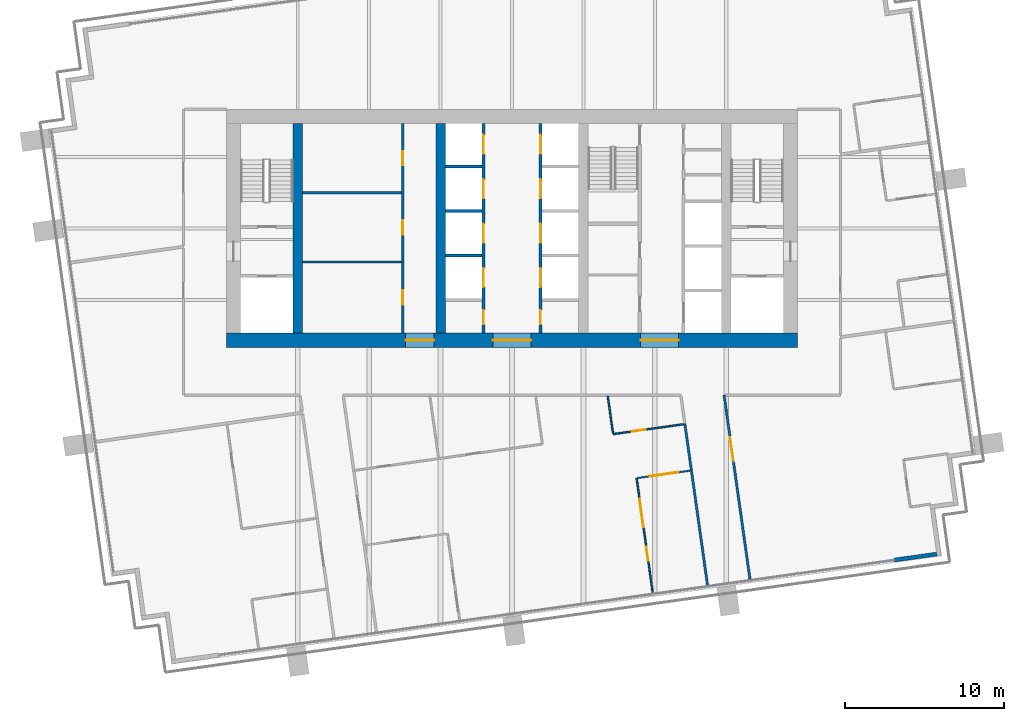
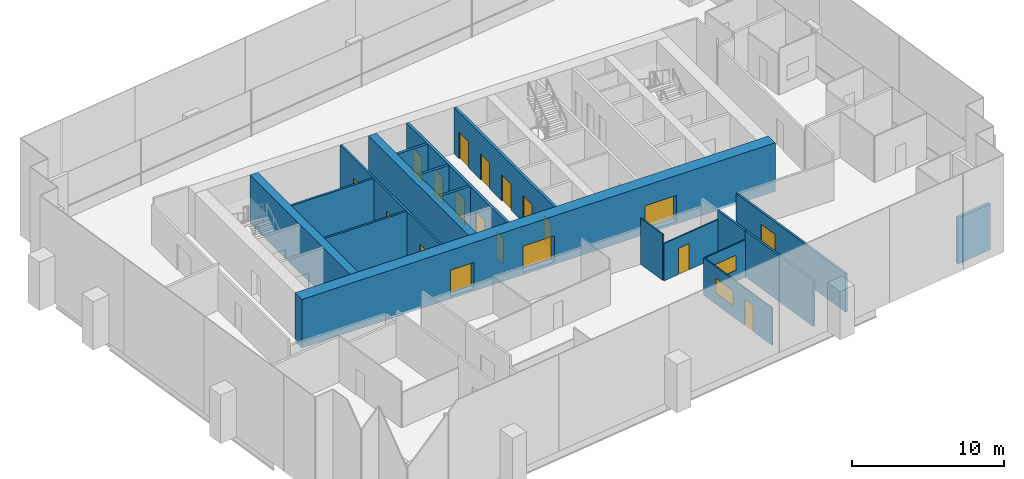
# One storey, part 10 of 17: 19 doors, 19 walls, 2 windows, 21 openings.
"""IFC4 building model written with IfcOpenShell, lengths in metres."""

from ifc_helpers import new_model, si_unit, direction, frame, frame_2d, origin, place, context, subcontext, project, spatial, rectangle, extrude, material, layer, layer_set, type_object, element, fill, save


model = new_model("IFC4")

# Units and contexts
model_context = context("Model", 3, precision=1e-05, world=origin(), true_north=direction((0.0, 1.0)))
body_context = subcontext(model_context, "Body", "Model", "MODEL_VIEW")
ifc_project = project(units=[si_unit("LENGTHUNIT", "METRE"), si_unit("AREAUNIT", "SQUARE_METRE"), si_unit("VOLUMEUNIT", "CUBIC_METRE"), si_unit("PLANEANGLEUNIT", "RADIAN"), si_unit("MASSUNIT", "GRAM", prefix="KILO")], contexts=[model_context])

# Site, building, storey
site_placement = place(None, origin())
site = spatial("IfcSite", under=ifc_project, at=site_placement, CompositionType="ELEMENT")
building_placement = place(site_placement, origin())
building = spatial("IfcBuilding", under=site, at=building_placement, Name="Rattan Terrace Tower", CompositionType="ELEMENT")
storey_placement = place(building_placement, frame((0.0, 0.0, 180.199951171875)))
storey = spatial("IfcBuildingStorey", under=building, at=storey_placement, Name="L41", CompositionType="ELEMENT", Elevation=180.199951171875)

# Wall, openings, doors
ifc_material_1 = material(Name="Gypsum board partition")
ifc_layer_1 = layer(ifc_material_1, 0.14990234375)
ifc_layer_set_1 = layer_set([ifc_layer_1], Name="Core partition 150")
wall_type_1 = type_object("IfcWallType", Name="Core partition 150", PredefinedType="PARTITIONING", material=ifc_layer_set_1)
wall_1_placement = place(storey_placement, frame((-6.875, -6.60009765625, 0.0), z_axis=(0.0, 0.0, 1.0), x_axis=(0.0, 1.0, 0.0)))
wall_1 = element("IfcWall", 1, at=wall_1_placement, inside=storey, type_object=wall_type_1, Name="Core room wall", PredefinedType="PARTITIONING", context=body_context, shape_type="SweptSolid", body=[
    extrude(rectangle(XDim=13.2001953125, YDim=0.14990234375, at=frame_2d((6.60009765625, 0.0))), origin(), (0.0, 0.0, 1.0), 3.699951171875),
])
opening_1_placement = place(wall_1_placement, frame((1.7939453125, 0.0, 0.0)))
opening_1 = element("IfcOpeningElement", 2, at=opening_1_placement, cuts=wall_1, Name="Opening L41-D005", PredefinedType="OPENING", context=body_context, shape_type="SweptSolid", body=[
    extrude(rectangle(XDim=0.89990234375, YDim=2.10009765625, at=frame_2d((0.449951171875, 1.050048828125))), frame((0.0, 0.08544921875, 0.0), z_axis=(0.0, -1.0, 0.0), x_axis=(1.0, 0.0, 0.0)), (0.0, 0.0, 1.0), 0.1708984375),
])
opening_2_placement = place(wall_1_placement, frame((6.216064453125, 0.0, 0.0)))
opening_2 = element("IfcOpeningElement", 3, at=opening_2_placement, cuts=wall_1, Name="Opening L41-D006", PredefinedType="OPENING", context=body_context, shape_type="SweptSolid", body=[
    extrude(rectangle(XDim=0.89990234375, YDim=2.10009765625, at=frame_2d((0.449951171875, 1.050048828125))), frame((0.0, 0.08544921875, 0.0), z_axis=(0.0, -1.0, 0.0), x_axis=(1.0, 0.0, 0.0)), (0.0, 0.0, 1.0), 0.1708984375),
])
opening_3_placement = place(wall_1_placement, frame((10.572021484375, 0.0, 0.0)))
opening_3 = element("IfcOpeningElement", 4, at=opening_3_placement, cuts=wall_1, Name="Opening L41-D007", PredefinedType="OPENING", context=body_context, shape_type="SweptSolid", body=[
    extrude(rectangle(XDim=0.89990234375, YDim=2.10009765625, at=frame_2d((0.449951171875, 1.050048828125))), frame((0.0, 0.08544921875, 0.0), z_axis=(0.0, -1.0, 0.0), x_axis=(1.0, 0.0, 0.0)), (0.0, 0.0, 1.0), 0.1708984375),
])
ifc_material_2 = material(Name="Hollow-metal fire door leaf")
door_type_1 = type_object("IfcDoorType", Name="Core service room door 900", OperationType="NOTDEFINED", PredefinedType="DOOR", material=ifc_material_2)
door_1_placement = place(opening_1_placement, origin())
door_1 = element("IfcDoor", 5, at=door_1_placement, inside=storey, type_object=door_type_1, Name="Door L41-D005", OperationType="SINGLE_SWING_LEFT", OverallHeight=2.10009765625, OverallWidth=0.89990234375, PredefinedType="DOOR", context=body_context, shape_type="SweptSolid", body=[
    extrude(rectangle(XDim=0.89990234375, YDim=2.10009765625, at=frame_2d((0.449951171875, 1.050048828125))), frame((0.0, 0.02490234375, 0.0), z_axis=(0.0, -1.0, 0.0), x_axis=(1.0, 0.0, 0.0)), (0.0, 0.0, 1.0), 0.050048828125),
])
fill(opening_1, door_1)
door_2_placement = place(opening_2_placement, origin())
door_2 = element("IfcDoor", 6, at=door_2_placement, inside=storey, type_object=door_type_1, Name="Door L41-D006", OperationType="SINGLE_SWING_RIGHT", OverallHeight=2.10009765625, OverallWidth=0.89990234375, PredefinedType="DOOR", context=body_context, shape_type="SweptSolid", body=[
    extrude(rectangle(XDim=0.89990234375, YDim=2.10009765625, at=frame_2d((0.449951171875, 1.050048828125))), frame((0.0, 0.02490234375, 0.0), z_axis=(0.0, -1.0, 0.0), x_axis=(1.0, 0.0, 0.0)), (0.0, 0.0, 1.0), 0.050048828125),
])
fill(opening_2, door_2)
door_3_placement = place(opening_3_placement, origin())
door_3 = element("IfcDoor", 7, at=door_3_placement, inside=storey, type_object=door_type_1, Name="Door L41-D007", OperationType="SINGLE_SWING_LEFT", OverallHeight=2.10009765625, OverallWidth=0.89990234375, PredefinedType="DOOR", context=body_context, shape_type="SweptSolid", body=[
    extrude(rectangle(XDim=0.89990234375, YDim=2.10009765625, at=frame_2d((0.449951171875, 1.050048828125))), frame((0.0, 0.02490234375, 0.0), z_axis=(0.0, -1.0, 0.0), x_axis=(1.0, 0.0, 0.0)), (0.0, 0.0, 1.0), 0.050048828125),
])
fill(opening_3, door_3)

# Walls
for number, where, z_axis, x_axis, name in (
    (8, (-13.199951171875, -2.112060546875, 0.0), (0.0, 0.0, 1.0), (1.0, 0.0, 0.0), "Core room wall"),
    (9, (-13.199951171875, 2.243896484375, 0.0), (0.0, 0.0, 1.0), (1.0, 0.0, 0.0), "Core room wall"),
):
    element("IfcWall", number, at=place(storey_placement, frame(where, z_axis=z_axis, x_axis=x_axis)), inside=storey, type_object=wall_type_1, Name=name, PredefinedType="PARTITIONING", context=body_context, shape_type="SweptSolid", body=[
        extrude(rectangle(XDim=6.25, YDim=0.14990234375, at=frame_2d((3.125, 0.0))), origin(), (0.0, 0.0, 1.0), 3.699951171875),
    ])

# Wall, openings, doors
ifc_material_3 = material(Name="Concrete C60/75", Category="concrete")
ifc_layer_2 = layer(ifc_material_3, 0.89990234375)
ifc_layer_set_2 = layer_set([ifc_layer_2], Name="Core ring wall 900 C60/75")
wall_type_2 = type_object("IfcWallType", Name="Core ring wall 900 C60/75", PredefinedType="SHEAR", material=ifc_layer_set_2)
wall_2_placement = place(storey_placement, frame((-18.0, -7.050048828125, -0.199951171875), z_axis=(0.0, 0.0, 1.0), x_axis=(1.0, 0.0, 0.0)))
wall_2 = element("IfcWall", 10, at=wall_2_placement, inside=storey, type_object=wall_type_2, Name="Rear core wall south", PredefinedType="SHEAR", context=body_context, shape_type="SweptSolid", body=[
    extrude(rectangle(XDim=36.0, YDim=0.89990234375, at=frame_2d((18.0, 0.0))), origin(), (0.0, 0.0, 1.0), 3.89990234375),
])
opening_4_placement = place(wall_2_placement, frame((11.300048828125, 0.0, 0.199951171875)))
opening_4 = element("IfcOpeningElement", 11, at=opening_4_placement, cuts=wall_2, Name="Opening L41-D008", PredefinedType="OPENING", context=body_context, shape_type="SweptSolid", body=[
    extrude(rectangle(XDim=1.800048828125, YDim=2.10009765625, at=frame_2d((0.89990234375, 1.050048828125))), frame((0.0, 0.46044921875, 0.0), z_axis=(0.0, -1.0, 0.0), x_axis=(1.0, 0.0, 0.0)), (0.0, 0.0, 1.0), 0.9208984375),
])
opening_5_placement = place(wall_2_placement, frame((16.800048828125, 0.0, 0.199951171875)))
opening_5 = element("IfcOpeningElement", 12, at=opening_5_placement, cuts=wall_2, Name="Opening L41-D011", PredefinedType="OPENING", context=body_context, shape_type="SweptSolid", body=[
    extrude(rectangle(XDim=2.39990234375, YDim=2.10009765625, at=frame_2d((1.199951171875, 1.050048828125))), frame((0.0, 0.46044921875, 0.0), z_axis=(0.0, -1.0, 0.0), x_axis=(1.0, 0.0, 0.0)), (0.0, 0.0, 1.0), 0.9208984375),
])
opening_6_placement = place(wall_2_placement, frame((26.10009765625, 0.0, 0.199951171875)))
opening_6 = element("IfcOpeningElement", 13, at=opening_6_placement, cuts=wall_2, Name="Opening L41-D015", PredefinedType="OPENING", context=body_context, shape_type="SweptSolid", body=[
    extrude(rectangle(XDim=2.39990234375, YDim=2.10009765625, at=frame_2d((1.199951171875, 1.050048828125))), frame((0.0, 0.46044921875, 0.0), z_axis=(0.0, -1.0, 0.0), x_axis=(1.0, 0.0, 0.0)), (0.0, 0.0, 1.0), 0.9208984375),
])
ifc_material_4 = material(Name="Hollow-metal fire door leaf")
door_type_2 = type_object("IfcDoorType", Name="Core lift lobby door 2400", OperationType="NOTDEFINED", PredefinedType="DOOR", material=ifc_material_4)
door_4_placement = place(opening_5_placement, origin())
door_4 = element("IfcDoor", 14, at=door_4_placement, inside=storey, type_object=door_type_2, Name="Door L41-D011", OperationType="DOUBLE_DOOR_DOUBLE_SWING", OverallHeight=2.10009765625, OverallWidth=2.39990234375, PredefinedType="DOOR", context=body_context, shape_type="SweptSolid", body=[
    extrude(rectangle(XDim=2.39990234375, YDim=2.10009765625, at=frame_2d((1.199951171875, 1.050048828125))), frame((0.0, 0.02490234375, 0.0), z_axis=(0.0, -1.0, 0.0), x_axis=(1.0, 0.0, 0.0)), (0.0, 0.0, 1.0), 0.050048828125),
])
fill(opening_5, door_4)
door_5_placement = place(opening_6_placement, origin())
door_5 = element("IfcDoor", 15, at=door_5_placement, inside=storey, type_object=door_type_2, Name="Door L41-D015", OperationType="DOUBLE_DOOR_DOUBLE_SWING", OverallHeight=2.10009765625, OverallWidth=2.39990234375, PredefinedType="DOOR", context=body_context, shape_type="SweptSolid", body=[
    extrude(rectangle(XDim=2.39990234375, YDim=2.10009765625, at=frame_2d((1.199951171875, 1.050048828125))), frame((0.0, 0.02490234375, 0.0), z_axis=(0.0, -1.0, 0.0), x_axis=(1.0, 0.0, 0.0)), (0.0, 0.0, 1.0), 0.050048828125),
])
fill(opening_6, door_5)
ifc_material_5 = material(Name="Hollow-metal fire door leaf")
door_type_3 = type_object("IfcDoorType", Name="Core service room door 1800", OperationType="NOTDEFINED", PredefinedType="DOOR", material=ifc_material_5)
door_6_placement = place(opening_4_placement, origin())
door_6 = element("IfcDoor", 16, at=door_6_placement, inside=storey, type_object=door_type_3, Name="Door L41-D008", OperationType="SINGLE_SWING_RIGHT", OverallHeight=2.10009765625, OverallWidth=1.800048828125, PredefinedType="DOOR", context=body_context, shape_type="SweptSolid", body=[
    extrude(rectangle(XDim=1.800048828125, YDim=2.10009765625, at=frame_2d((0.89990234375, 1.050048828125))), frame((0.0, 0.02490234375, 0.0), z_axis=(0.0, -1.0, 0.0), x_axis=(1.0, 0.0, 0.0)), (0.0, 0.0, 1.0), 0.050048828125),
])
fill(opening_4, door_6)

# Walls
ifc_material_6 = material(Name="Concrete C60/75", Category="concrete")
ifc_layer_3 = layer(ifc_material_6, 0.60009765625)
ifc_layer_set_3 = layer_set([ifc_layer_3], Name="Core spine wall 600 C60/75")
wall_type_3 = type_object("IfcWallType", Name="Core spine wall 600 C60/75", PredefinedType="SHEAR", material=ifc_layer_set_3)
for number, where, z_axis, x_axis, name in (
    (17, (-13.5, -6.60009765625, -0.199951171875), (0.0, 0.0, 1.0), (0.0, 1.0, 0.0), "Core spine wall 1"),
    (18, (-4.5, -6.60009765625, -0.199951171875), (0.0, 0.0, 1.0), (0.0, 1.0, 0.0), "Core spine wall 2"),
):
    element("IfcWall", number, at=place(storey_placement, frame(where, z_axis=z_axis, x_axis=x_axis)), inside=storey, type_object=wall_type_3, Name=name, PredefinedType="SHEAR", context=body_context, shape_type="SweptSolid", body=[
        extrude(rectangle(XDim=13.2001953125, YDim=0.60009765625, at=frame_2d((6.60009765625, 0.0))), origin(), (0.0, 0.0, 1.0), 3.89990234375),
    ])
ifc_material_7 = material(Name="Insulated aluminium-clad stud wall", Category="aluminium")
ifc_layer_4 = layer(ifc_material_7, 0.25)
ifc_layer_set_4 = layer_set([ifc_layer_4], Name="Facade Riser Wall 250")
wall_type_4 = type_object("IfcWallType", Name="Facade Riser Wall 250", PredefinedType="SOLIDWALL", material=ifc_layer_set_4)
wall_3_placement = place(storey_placement, frame((24.08544921875, -20.892578125, 0.0), z_axis=(0.0, 0.0, 1.0), x_axis=(0.990255800966, 0.139260362823, 0.0)))
element("IfcWall", 19, at=wall_3_placement, inside=storey, type_object=wall_type_4, Name="Riser wall L41-1", PredefinedType="SOLIDWALL", context=body_context, shape_type="SweptSolid", body=[
    extrude(rectangle(XDim=2.705078125, YDim=0.25, at=frame_2d((1.3525390625, 0.0))), origin(), (0.0, 0.0, 1.0), 3.699951171875),
])

# Wall, openings, door, window
ifc_material_8 = material(Name="Gypsum board partition on steel studs", Category="steel")
ifc_layer_5 = layer(ifc_material_8, 0.10009765625)
ifc_layer_set_5 = layer_set([ifc_layer_5], Name="Floors Partition 100")
wall_type_5 = type_object("IfcWallType", Name="Floors Partition 100", PredefinedType="PARTITIONING", material=ifc_layer_set_5)
wall_4_placement = place(storey_placement, frame((7.85205078125, -15.73095703125, 0.0), z_axis=(0.0, 0.0, 1.0), x_axis=(0.139143839005, -0.9902721808, 0.0)))
wall_4 = element("IfcWall", 20, at=wall_4_placement, inside=storey, type_object=wall_type_5, Name="pt-L41-051", PredefinedType="PARTITIONING", context=body_context, shape_type="SweptSolid", body=[
    extrude(rectangle(XDim=7.27978515625, YDim=0.10009765625, at=frame_2d((3.639892578125, 0.0))), origin(), (0.0, 0.0, 1.0), 3.0),
])
opening_7_placement = place(wall_4_placement, frame((4.365966796875, 0.0, 0.0)))
opening_7 = element("IfcOpeningElement", 21, at=opening_7_placement, cuts=wall_4, Name="Opening L41-D114", PredefinedType="OPENING", context=body_context, shape_type="SweptSolid", body=[
    extrude(rectangle(XDim=0.89990234375, YDim=2.10009765625, at=frame_2d((0.449951171875, 1.050048828125))), frame((0.0, 0.060546875, 0.0), z_axis=(0.0, -1.0, 0.0), x_axis=(1.0, 0.0, 0.0)), (0.0, 0.0, 1.0), 0.12109375),
])
opening_8_placement = place(wall_4_placement, frame((1.30810546875, 0.0, 0.89990234375)))
opening_8 = element("IfcOpeningElement", 22, at=opening_8_placement, cuts=wall_4, Name="Opening L41-W103", PredefinedType="OPENING", context=body_context, shape_type="SweptSolid", body=[
    extrude(rectangle(XDim=1.800048828125, YDim=1.199951171875, at=frame_2d((0.89990234375, 0.60009765625))), frame((0.0, 0.060546875, 0.0), z_axis=(0.0, -1.0, 0.0), x_axis=(1.0, 0.0, 0.0)), (0.0, 0.0, 1.0), 0.12109375),
])
ifc_material_9 = material(Name="Solid core timber door, painted", Category="wood")
door_type_4 = type_object("IfcDoorType", Name="Floors Door 900x2100", OperationType="NOTDEFINED", PredefinedType="DOOR", material=ifc_material_9)
door_7_placement = place(opening_7_placement, origin())
door_7 = element("IfcDoor", 23, at=door_7_placement, inside=storey, type_object=door_type_4, Name="d-L41-114", OperationType="SINGLE_SWING_RIGHT", OverallHeight=2.10009765625, OverallWidth=0.89990234375, PredefinedType="DOOR", context=body_context, shape_type="SweptSolid", body=[
    extrude(rectangle(XDim=0.89990234375, YDim=2.10009765625, at=frame_2d((0.449951171875, 1.050048828125))), frame((0.0, 0.02490234375, 0.0), z_axis=(0.0, -1.0, 0.0), x_axis=(1.0, 0.0, 0.0)), (0.0, 0.0, 1.0), 0.050048828125),
])
fill(opening_7, door_7)
ifc_material_10 = material(Name="Glass, clear, fixed in aluminium frame", Category="aluminium")
window_type = type_object("IfcWindowType", Name="Interior Vision Window 1800x1200", PartitioningType="SINGLE_PANEL", PredefinedType="WINDOW", material=ifc_material_10)
window_1_placement = place(opening_8_placement, origin())
window_1 = element("IfcWindow", 24, at=window_1_placement, inside=storey, type_object=window_type, Name="w-L41-103", OverallHeight=1.199951171875, OverallWidth=1.800048828125, PartitioningType="SINGLE_PANEL", PredefinedType="WINDOW", context=body_context, shape_type="SweptSolid", body=[
    extrude(rectangle(XDim=1.800048828125, YDim=1.199951171875, at=frame_2d((0.89990234375, 0.60009765625))), frame((0.0, 0.030029296875, 0.0), z_axis=(0.0, -1.0, 0.0), x_axis=(1.0, 0.0, 0.0)), (0.0, 0.0, 1.0), 0.06005859375),
])
fill(opening_8, window_1)

# Wall, opening, window
wall_5_placement = place(storey_placement, frame((11.22900390625, -15.256103515625, 0.0), z_axis=(0.0, 0.0, 1.0), x_axis=(-0.990256578838, -0.139254831399, 0.0)))
wall_5 = element("IfcWall", 25, at=wall_5_placement, inside=storey, type_object=wall_type_5, Name="pt-L41-052", PredefinedType="PARTITIONING", context=body_context, shape_type="SweptSolid", body=[
    extrude(rectangle(XDim=3.36083984375, YDim=0.10009765625, at=frame_2d((1.680419921875, 0.0))), origin(), (0.0, 0.0, 1.0), 3.0),
])
opening_9_placement = place(wall_5_placement, frame((0.780029296875, 0.0, 0.89990234375)))
opening_9 = element("IfcOpeningElement", 26, at=opening_9_placement, cuts=wall_5, Name="Opening L41-W104", PredefinedType="OPENING", context=body_context, shape_type="SweptSolid", body=[
    extrude(rectangle(XDim=1.800048828125, YDim=1.199951171875, at=frame_2d((0.89990234375, 0.60009765625))), frame((0.0, 0.060546875, 0.0), z_axis=(0.0, -1.0, 0.0), x_axis=(1.0, 0.0, 0.0)), (0.0, 0.0, 1.0), 0.12109375),
])
window_2_placement = place(opening_9_placement, origin())
window_2 = element("IfcWindow", 27, at=window_2_placement, inside=storey, type_object=window_type, Name="w-L41-104", OverallHeight=1.199951171875, OverallWidth=1.800048828125, PartitioningType="SINGLE_PANEL", PredefinedType="WINDOW", context=body_context, shape_type="SweptSolid", body=[
    extrude(rectangle(XDim=1.800048828125, YDim=1.199951171875, at=frame_2d((0.89990234375, 0.60009765625))), frame((0.0, 0.030029296875, 0.0), z_axis=(0.0, -1.0, 0.0), x_axis=(1.0, 0.0, 0.0)), (0.0, 0.0, 1.0), 0.06005859375),
])
fill(opening_9, window_2)

# Wall
wall_6_placement = place(storey_placement, frame((6.034912109375, -10.568115234375, 0.0), z_axis=(0.0, 0.0, 1.0), x_axis=(0.139280161334, -0.990253016486, 0.0)))
element("IfcWall", 28, at=wall_6_placement, inside=storey, type_object=wall_type_5, Name="pt-L41-056", PredefinedType="PARTITIONING", context=body_context, shape_type="SweptSolid", body=[
    extrude(rectangle(XDim=2.36279296875, YDim=0.10009765625, at=frame_2d((1.181396484375, 0.0))), origin(), (0.0, 0.0, 1.0), 3.699951171875),
])

# Wall, opening, door
wall_7_placement = place(storey_placement, frame((6.37109375, -12.95703125, 0.0), z_axis=(0.0, 0.0, 1.0), x_axis=(0.990271914732, 0.139145732571, 0.0)))
wall_7 = element("IfcWall", 29, at=wall_7_placement, inside=storey, type_object=wall_type_5, Name="pt-L41-057", PredefinedType="PARTITIONING", context=body_context, shape_type="SweptSolid", body=[
    extrude(rectangle(XDim=4.49169921875, YDim=0.10009765625, at=frame_2d((2.245849609375, 0.0))), origin(), (0.0, 0.0, 1.0), 3.0),
])
opening_10_placement = place(wall_7_placement, frame((1.177001953125, 0.0, 0.0)))
opening_10 = element("IfcOpeningElement", 30, at=opening_10_placement, cuts=wall_7, Name="Opening L41-D117", PredefinedType="OPENING", context=body_context, shape_type="SweptSolid", body=[
    extrude(rectangle(XDim=0.89990234375, YDim=2.10009765625, at=frame_2d((0.449951171875, 1.050048828125))), frame((0.0, 0.060546875, 0.0), z_axis=(0.0, -1.0, 0.0), x_axis=(1.0, 0.0, 0.0)), (0.0, 0.0, 1.0), 0.12109375),
])
door_8_placement = place(opening_10_placement, origin())
door_8 = element("IfcDoor", 31, at=door_8_placement, inside=storey, type_object=door_type_4, Name="d-L41-117", OperationType="SINGLE_SWING_LEFT", OverallHeight=2.10009765625, OverallWidth=0.89990234375, PredefinedType="DOOR", context=body_context, shape_type="SweptSolid", body=[
    extrude(rectangle(XDim=0.89990234375, YDim=2.10009765625, at=frame_2d((0.449951171875, 1.050048828125))), frame((0.0, 0.02490234375, 0.0), z_axis=(0.0, -1.0, 0.0), x_axis=(1.0, 0.0, 0.0)), (0.0, 0.0, 1.0), 0.050048828125),
])
fill(opening_10, door_8)

ifc_material_11 = material(Name="Gypsum board partition on steel studs, fire rated", Category="steel")
ifc_layer_6 = layer(ifc_material_11, 0.14990234375)
ifc_layer_set_6 = layer_set([ifc_layer_6], Name="Floors Tenancy Wall 150")
wall_type_6 = type_object("IfcWallType", Name="Floors Tenancy Wall 150", PredefinedType="PARTITIONING", material=ifc_layer_set_6)
wall_8_placement = place(storey_placement, frame((13.363037109375, -10.5, 0.0), z_axis=(0.0, 0.0, 1.0), x_axis=(0.139211326844, -0.990262695692, 0.0)))
wall_8 = element("IfcWall", 32, at=wall_8_placement, inside=storey, type_object=wall_type_6, Name="pt-L41-004", PredefinedType="PARTITIONING", context=body_context, shape_type="SweptSolid", body=[
    extrude(rectangle(XDim=11.69384765625, YDim=0.14990234375, at=frame_2d((5.846923828125, 0.0))), origin(), (0.0, 0.0, 1.0), 3.10009765625),
])
opening_11_placement = place(wall_8_placement, frame((2.673095703125, 0.0, 0.0)))
opening_11 = element("IfcOpeningElement", 33, at=opening_11_placement, cuts=wall_8, Name="Opening L41-D103", PredefinedType="OPENING", context=body_context, shape_type="SweptSolid", body=[
    extrude(rectangle(XDim=1.5, YDim=2.10009765625, at=frame_2d((0.75, 1.050048828125))), frame((0.0, 0.08544921875, 0.0), z_axis=(0.0, -1.0, 0.0), x_axis=(1.0, 0.0, 0.0)), (0.0, 0.0, 1.0), 0.1708984375),
])
ifc_material_12 = material(Name="Steel fire door set", Category="steel")
door_type_5 = type_object("IfcDoorType", Name="Floors Unit Door Pair FD30S 1500x2100", OperationType="NOTDEFINED", PredefinedType="DOOR", material=ifc_material_12)
door_9_placement = place(opening_11_placement, origin())
door_9 = element("IfcDoor", 34, at=door_9_placement, inside=storey, type_object=door_type_5, Name="d-L41-103", OperationType="DOUBLE_DOOR_SINGLE_SWING", OverallHeight=2.10009765625, OverallWidth=1.5, PredefinedType="DOOR", context=body_context, shape_type="SweptSolid", body=[
    extrude(rectangle(XDim=1.5, YDim=2.10009765625, at=frame_2d((0.75, 1.050048828125))), frame((0.0, 0.02490234375, 0.0), z_axis=(0.0, -1.0, 0.0), x_axis=(1.0, 0.0, 0.0)), (0.0, 0.0, 1.0), 0.050048828125),
])
fill(opening_11, door_9)

# Walls
wall_9_placement = place(storey_placement, frame((11.301025390625, -15.22607421875, 0.0), z_axis=(0.0, 0.0, 1.0), x_axis=(-0.139233295347, 0.990259607107, 0.0)))
element("IfcWall", 35, at=wall_9_placement, inside=storey, type_object=wall_type_6, Name="pt-L41-017", PredefinedType="PARTITIONING", context=body_context, shape_type="SweptSolid", body=[
    extrude(rectangle(XDim=2.952880859375, YDim=0.14990234375, at=frame_2d((1.4765625, 0.0))), origin(), (0.0, 0.0, 1.0), 3.699951171875),
])
wall_10_placement = place(storey_placement, frame((12.31689453125, -22.4560546875, 0.0), z_axis=(0.0, 0.0, 1.0), x_axis=(-0.139141087095, 0.990272567469, 0.0)))
element("IfcWall", 36, at=wall_10_placement, inside=storey, type_object=wall_type_6, Name="pt-L41-019", PredefinedType="PARTITIONING", context=body_context, shape_type="SweptSolid", body=[
    extrude(rectangle(XDim=7.301025390625, YDim=0.14990234375, at=frame_2d((3.650390625, 0.0))), origin(), (0.0, 0.0, 1.0), 3.699951171875),
])

# Wall, openings, doors
ifc_material_13 = material(Name="Gypsum shaft wall system")
ifc_layer_7 = layer(ifc_material_13, 0.199951171875)
ifc_layer_set_7 = layer_set([ifc_layer_7], Name="Lift shaft wall 200")
wall_type_7 = type_object("IfcWallType", Name="Lift shaft wall 200", PredefinedType="PARTITIONING", material=ifc_layer_set_7)
wall_11_placement = place(storey_placement, frame((-1.800048828125, -6.60009765625, 0.0), z_axis=(0.0, 0.0, 1.0), x_axis=(0.0, 1.0, 0.0)))
wall_11 = element("IfcWall", 37, at=wall_11_placement, inside=storey, type_object=wall_type_7, Name="Lift shaft front wall", PredefinedType="PARTITIONING", context=body_context, shape_type="SweptSolid", body=[
    extrude(rectangle(XDim=13.2001953125, YDim=0.199951171875, at=frame_2d((6.60009765625, 0.0))), origin(), (0.0, 0.0, 1.0), 3.699951171875),
])
opening_12_placement = place(wall_11_placement, frame((0.550048828125, 0.0, 0.0)))
opening_12 = element("IfcOpeningElement", 38, at=opening_12_placement, cuts=wall_11, Name="Opening L41-D009", PredefinedType="OPENING", context=body_context, shape_type="SweptSolid", body=[
    extrude(rectangle(XDim=0.89990234375, YDim=2.10009765625, at=frame_2d((0.449951171875, 1.050048828125))), frame((0.0, 0.110595703125, 0.0), z_axis=(0.0, -1.0, 0.0), x_axis=(1.0, 0.0, 0.0)), (0.0, 0.0, 1.0), 0.220947265625),
])
opening_13_placement = place(wall_11_placement, frame((2.89990234375, 0.0, 0.0)))
opening_13 = element("IfcOpeningElement", 39, at=opening_13_placement, cuts=wall_11, Name="Opening L41-LD-HR1", PredefinedType="OPENING", context=body_context, shape_type="SweptSolid", body=[
    extrude(rectangle(XDim=1.199951171875, YDim=2.10009765625, at=frame_2d((0.60009765625, 1.050048828125))), frame((0.0, 0.110595703125, 0.0), z_axis=(0.0, -1.0, 0.0), x_axis=(1.0, 0.0, 0.0)), (0.0, 0.0, 1.0), 0.220947265625),
])
opening_14_placement = place(wall_11_placement, frame((5.699951171875, 0.0, 0.0)))
opening_14 = element("IfcOpeningElement", 40, at=opening_14_placement, cuts=wall_11, Name="Opening L41-LD-HR2", PredefinedType="OPENING", context=body_context, shape_type="SweptSolid", body=[
    extrude(rectangle(XDim=1.199951171875, YDim=2.10009765625, at=frame_2d((0.60009765625, 1.050048828125))), frame((0.0, 0.110595703125, 0.0), z_axis=(0.0, -1.0, 0.0), x_axis=(1.0, 0.0, 0.0)), (0.0, 0.0, 1.0), 0.220947265625),
])
opening_15_placement = place(wall_11_placement, frame((8.5, 0.0, 0.0)))
opening_15 = element("IfcOpeningElement", 41, at=opening_15_placement, cuts=wall_11, Name="Opening L41-LD-HR3", PredefinedType="OPENING", context=body_context, shape_type="SweptSolid", body=[
    extrude(rectangle(XDim=1.199951171875, YDim=2.10009765625, at=frame_2d((0.60009765625, 1.050048828125))), frame((0.0, 0.110595703125, 0.0), z_axis=(0.0, -1.0, 0.0), x_axis=(1.0, 0.0, 0.0)), (0.0, 0.0, 1.0), 0.220947265625),
])
opening_16_placement = place(wall_11_placement, frame((11.300048828125, 0.0, 0.0)))
opening_16 = element("IfcOpeningElement", 42, at=opening_16_placement, cuts=wall_11, Name="Opening L41-LD-HR4", PredefinedType="OPENING", context=body_context, shape_type="SweptSolid", body=[
    extrude(rectangle(XDim=1.199951171875, YDim=2.10009765625, at=frame_2d((0.60009765625, 1.050048828125))), frame((0.0, 0.110595703125, 0.0), z_axis=(0.0, -1.0, 0.0), x_axis=(1.0, 0.0, 0.0)), (0.0, 0.0, 1.0), 0.220947265625),
])
ifc_material_14 = material(Name="Brushed stainless landing door panel")
door_type_6 = type_object("IfcDoorType", Name="Core lift landing door 1200", OperationType="DOUBLE_DOOR_SLIDING", PredefinedType="DOOR", material=ifc_material_14)
door_10_placement = place(opening_13_placement, origin())
door_10 = element("IfcDoor", 43, at=door_10_placement, inside=storey, type_object=door_type_6, Name="Door L41-LD-HR1", OperationType="DOUBLE_DOOR_SLIDING", OverallHeight=2.10009765625, OverallWidth=1.199951171875, PredefinedType="DOOR", context=body_context, shape_type="SweptSolid", body=[
    extrude(rectangle(XDim=1.199951171875, YDim=2.10009765625, at=frame_2d((0.60009765625, 1.050048828125))), frame((0.0, 0.02490234375, 0.0), z_axis=(0.0, -1.0, 0.0), x_axis=(1.0, 0.0, 0.0)), (0.0, 0.0, 1.0), 0.050048828125),
])
fill(opening_13, door_10)
door_11_placement = place(opening_14_placement, origin())
door_11 = element("IfcDoor", 44, at=door_11_placement, inside=storey, type_object=door_type_6, Name="Door L41-LD-HR2", OperationType="DOUBLE_DOOR_SLIDING", OverallHeight=2.10009765625, OverallWidth=1.199951171875, PredefinedType="DOOR", context=body_context, shape_type="SweptSolid", body=[
    extrude(rectangle(XDim=1.199951171875, YDim=2.10009765625, at=frame_2d((0.60009765625, 1.050048828125))), frame((0.0, 0.02490234375, 0.0), z_axis=(0.0, -1.0, 0.0), x_axis=(1.0, 0.0, 0.0)), (0.0, 0.0, 1.0), 0.050048828125),
])
fill(opening_14, door_11)
door_12_placement = place(opening_15_placement, origin())
door_12 = element("IfcDoor", 45, at=door_12_placement, inside=storey, type_object=door_type_6, Name="Door L41-LD-HR3", OperationType="DOUBLE_DOOR_SLIDING", OverallHeight=2.10009765625, OverallWidth=1.199951171875, PredefinedType="DOOR", context=body_context, shape_type="SweptSolid", body=[
    extrude(rectangle(XDim=1.199951171875, YDim=2.10009765625, at=frame_2d((0.60009765625, 1.050048828125))), frame((0.0, 0.02490234375, 0.0), z_axis=(0.0, -1.0, 0.0), x_axis=(1.0, 0.0, 0.0)), (0.0, 0.0, 1.0), 0.050048828125),
])
fill(opening_15, door_12)
door_13_placement = place(opening_16_placement, origin())
door_13 = element("IfcDoor", 46, at=door_13_placement, inside=storey, type_object=door_type_6, Name="Door L41-LD-HR4", OperationType="DOUBLE_DOOR_SLIDING", OverallHeight=2.10009765625, OverallWidth=1.199951171875, PredefinedType="DOOR", context=body_context, shape_type="SweptSolid", body=[
    extrude(rectangle(XDim=1.199951171875, YDim=2.10009765625, at=frame_2d((0.60009765625, 1.050048828125))), frame((0.0, 0.02490234375, 0.0), z_axis=(0.0, -1.0, 0.0), x_axis=(1.0, 0.0, 0.0)), (0.0, 0.0, 1.0), 0.050048828125),
])
fill(opening_16, door_13)
ifc_material_15 = material(Name="Hollow-metal fire door leaf")
door_type_7 = type_object("IfcDoorType", Name="Core riser door 900", OperationType="NOTDEFINED", PredefinedType="DOOR", material=ifc_material_15)
door_14_placement = place(opening_12_placement, origin())
door_14 = element("IfcDoor", 47, at=door_14_placement, inside=storey, type_object=door_type_7, Name="Door L41-D009", OperationType="SINGLE_SWING_LEFT", OverallHeight=2.10009765625, OverallWidth=0.89990234375, PredefinedType="DOOR", context=body_context, shape_type="SweptSolid", body=[
    extrude(rectangle(XDim=0.89990234375, YDim=2.10009765625, at=frame_2d((0.449951171875, 1.050048828125))), frame((0.0, 0.02490234375, 0.0), z_axis=(0.0, -1.0, 0.0), x_axis=(1.0, 0.0, 0.0)), (0.0, 0.0, 1.0), 0.050048828125),
])
fill(opening_12, door_14)

wall_12_placement = place(storey_placement, frame((1.800048828125, -6.60009765625, 0.0), z_axis=(0.0, 0.0, 1.0), x_axis=(0.0, 1.0, 0.0)))
wall_12 = element("IfcWall", 48, at=wall_12_placement, inside=storey, type_object=wall_type_7, Name="Lift shaft front wall", PredefinedType="PARTITIONING", context=body_context, shape_type="SweptSolid", body=[
    extrude(rectangle(XDim=13.2001953125, YDim=0.199951171875, at=frame_2d((6.60009765625, 0.0))), origin(), (0.0, 0.0, 1.0), 3.699951171875),
])
opening_17_placement = place(wall_12_placement, frame((0.550048828125, 0.0, 0.0)))
opening_17 = element("IfcOpeningElement", 49, at=opening_17_placement, cuts=wall_12, Name="Opening L41-D010", PredefinedType="OPENING", context=body_context, shape_type="SweptSolid", body=[
    extrude(rectangle(XDim=0.89990234375, YDim=2.10009765625, at=frame_2d((0.449951171875, 1.050048828125))), frame((0.0, 0.110595703125, 0.0), z_axis=(0.0, -1.0, 0.0), x_axis=(1.0, 0.0, 0.0)), (0.0, 0.0, 1.0), 0.220947265625),
])
opening_18_placement = place(wall_12_placement, frame((2.89990234375, 0.0, 0.0)))
opening_18 = element("IfcOpeningElement", 50, at=opening_18_placement, cuts=wall_12, Name="Opening L41-LD-HR5", PredefinedType="OPENING", context=body_context, shape_type="SweptSolid", body=[
    extrude(rectangle(XDim=1.199951171875, YDim=2.10009765625, at=frame_2d((0.60009765625, 1.050048828125))), frame((0.0, 0.110595703125, 0.0), z_axis=(0.0, -1.0, 0.0), x_axis=(1.0, 0.0, 0.0)), (0.0, 0.0, 1.0), 0.220947265625),
])
opening_19_placement = place(wall_12_placement, frame((5.699951171875, 0.0, 0.0)))
opening_19 = element("IfcOpeningElement", 51, at=opening_19_placement, cuts=wall_12, Name="Opening L41-LD-HR6", PredefinedType="OPENING", context=body_context, shape_type="SweptSolid", body=[
    extrude(rectangle(XDim=1.199951171875, YDim=2.10009765625, at=frame_2d((0.60009765625, 1.050048828125))), frame((0.0, 0.110595703125, 0.0), z_axis=(0.0, -1.0, 0.0), x_axis=(1.0, 0.0, 0.0)), (0.0, 0.0, 1.0), 0.220947265625),
])
opening_20_placement = place(wall_12_placement, frame((8.5, 0.0, 0.0)))
opening_20 = element("IfcOpeningElement", 52, at=opening_20_placement, cuts=wall_12, Name="Opening L41-LD-HR7", PredefinedType="OPENING", context=body_context, shape_type="SweptSolid", body=[
    extrude(rectangle(XDim=1.199951171875, YDim=2.10009765625, at=frame_2d((0.60009765625, 1.050048828125))), frame((0.0, 0.110595703125, 0.0), z_axis=(0.0, -1.0, 0.0), x_axis=(1.0, 0.0, 0.0)), (0.0, 0.0, 1.0), 0.220947265625),
])
opening_21_placement = place(wall_12_placement, frame((11.300048828125, 0.0, 0.0)))
opening_21 = element("IfcOpeningElement", 53, at=opening_21_placement, cuts=wall_12, Name="Opening L41-LD-HR8", PredefinedType="OPENING", context=body_context, shape_type="SweptSolid", body=[
    extrude(rectangle(XDim=1.199951171875, YDim=2.10009765625, at=frame_2d((0.60009765625, 1.050048828125))), frame((0.0, 0.110595703125, 0.0), z_axis=(0.0, -1.0, 0.0), x_axis=(1.0, 0.0, 0.0)), (0.0, 0.0, 1.0), 0.220947265625),
])
door_15_placement = place(opening_18_placement, origin())
door_15 = element("IfcDoor", 54, at=door_15_placement, inside=storey, type_object=door_type_6, Name="Door L41-LD-HR5", OperationType="DOUBLE_DOOR_SLIDING", OverallHeight=2.10009765625, OverallWidth=1.199951171875, PredefinedType="DOOR", context=body_context, shape_type="SweptSolid", body=[
    extrude(rectangle(XDim=1.199951171875, YDim=2.10009765625, at=frame_2d((0.60009765625, 1.050048828125))), frame((0.0, 0.02490234375, 0.0), z_axis=(0.0, -1.0, 0.0), x_axis=(1.0, 0.0, 0.0)), (0.0, 0.0, 1.0), 0.050048828125),
])
fill(opening_18, door_15)
door_16_placement = place(opening_19_placement, origin())
door_16 = element("IfcDoor", 55, at=door_16_placement, inside=storey, type_object=door_type_6, Name="Door L41-LD-HR6", OperationType="DOUBLE_DOOR_SLIDING", OverallHeight=2.10009765625, OverallWidth=1.199951171875, PredefinedType="DOOR", context=body_context, shape_type="SweptSolid", body=[
    extrude(rectangle(XDim=1.199951171875, YDim=2.10009765625, at=frame_2d((0.60009765625, 1.050048828125))), frame((0.0, 0.02490234375, 0.0), z_axis=(0.0, -1.0, 0.0), x_axis=(1.0, 0.0, 0.0)), (0.0, 0.0, 1.0), 0.050048828125),
])
fill(opening_19, door_16)
door_17_placement = place(opening_20_placement, origin())
door_17 = element("IfcDoor", 56, at=door_17_placement, inside=storey, type_object=door_type_6, Name="Door L41-LD-HR7", OperationType="DOUBLE_DOOR_SLIDING", OverallHeight=2.10009765625, OverallWidth=1.199951171875, PredefinedType="DOOR", context=body_context, shape_type="SweptSolid", body=[
    extrude(rectangle(XDim=1.199951171875, YDim=2.10009765625, at=frame_2d((0.60009765625, 1.050048828125))), frame((0.0, 0.02490234375, 0.0), z_axis=(0.0, -1.0, 0.0), x_axis=(1.0, 0.0, 0.0)), (0.0, 0.0, 1.0), 0.050048828125),
])
fill(opening_20, door_17)
door_18_placement = place(opening_21_placement, origin())
door_18 = element("IfcDoor", 57, at=door_18_placement, inside=storey, type_object=door_type_6, Name="Door L41-LD-HR8", OperationType="DOUBLE_DOOR_SLIDING", OverallHeight=2.10009765625, OverallWidth=1.199951171875, PredefinedType="DOOR", context=body_context, shape_type="SweptSolid", body=[
    extrude(rectangle(XDim=1.199951171875, YDim=2.10009765625, at=frame_2d((0.60009765625, 1.050048828125))), frame((0.0, 0.02490234375, 0.0), z_axis=(0.0, -1.0, 0.0), x_axis=(1.0, 0.0, 0.0)), (0.0, 0.0, 1.0), 0.050048828125),
])
fill(opening_21, door_18)
door_19_placement = place(opening_17_placement, origin())
door_19 = element("IfcDoor", 58, at=door_19_placement, inside=storey, type_object=door_type_7, Name="Door L41-D010", OperationType="SINGLE_SWING_RIGHT", OverallHeight=2.10009765625, OverallWidth=0.89990234375, PredefinedType="DOOR", context=body_context, shape_type="SweptSolid", body=[
    extrude(rectangle(XDim=0.89990234375, YDim=2.10009765625, at=frame_2d((0.449951171875, 1.050048828125))), frame((0.0, 0.02490234375, 0.0), z_axis=(0.0, -1.0, 0.0), x_axis=(1.0, 0.0, 0.0)), (0.0, 0.0, 1.0), 0.050048828125),
])
fill(opening_17, door_19)

# Walls
for number, where, z_axis, x_axis, name in (
    (59, (-4.199951171875, -1.699951171875, 0.0), (0.0, 0.0, 1.0), (1.0, 0.0, 0.0), "Lift shaft wall"),
    (60, (-4.199951171875, 1.10009765625, 0.0), (0.0, 0.0, 1.0), (1.0, 0.0, 0.0), "Lift shaft wall"),
    (61, (-4.199951171875, 3.89990234375, 0.0), (0.0, 0.0, 1.0), (1.0, 0.0, 0.0), "Lift shaft wall"),
):
    element("IfcWall", number, at=place(storey_placement, frame(where, z_axis=z_axis, x_axis=x_axis)), inside=storey, type_object=wall_type_7, Name=name, PredefinedType="PARTITIONING", context=body_context, shape_type="SweptSolid", body=[
        extrude(rectangle(XDim=2.300048828125, YDim=0.199951171875, at=frame_2d((1.14990234375, 0.0))), origin(), (0.0, 0.0, 1.0), 3.699951171875),
    ])

save(model, "model.ifc")
